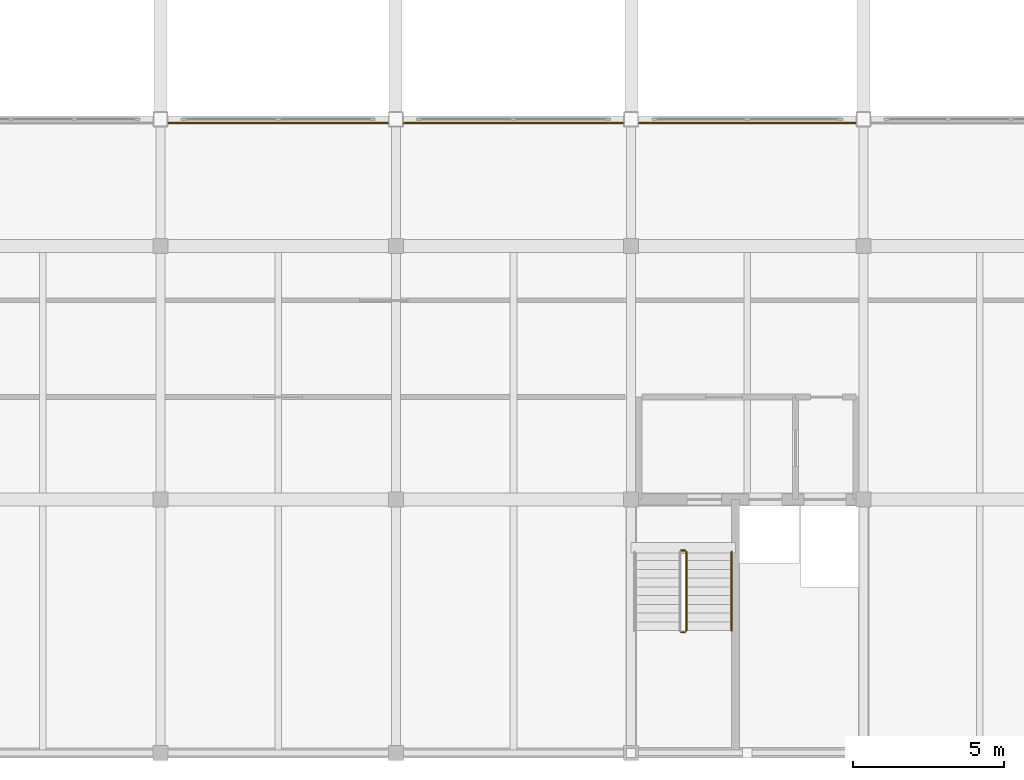
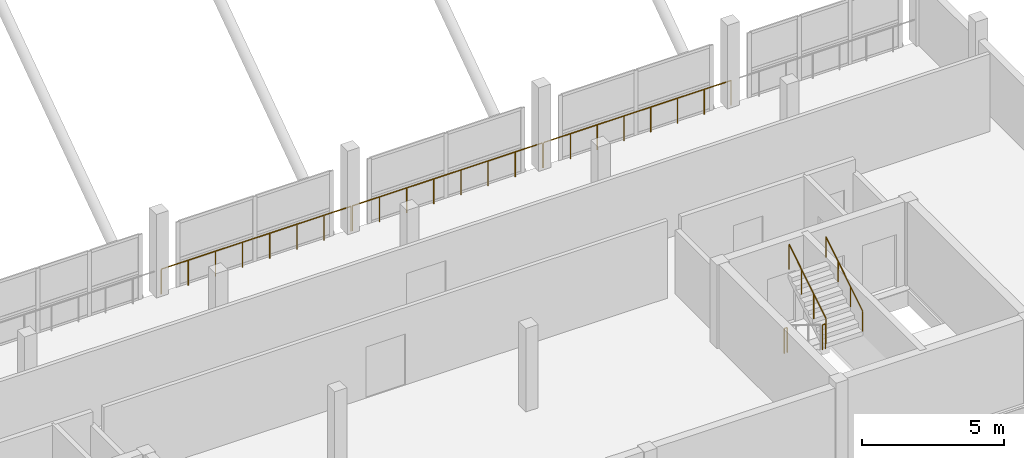
# One storey, part 50 of 51: 7 railings.
"""IFC4 building model written with IfcOpenShell, lengths in metres."""

from ifc_helpers import new_model, si_unit, direction, frame, origin, origin_2d, place, context, subcontext, project, spatial, circle, extrude, material, type_object, element, save


model = new_model("IFC4")

# Units and contexts
model_context = context("Model", 3, precision=1e-05, world=origin(), true_north=direction((0.0, 1.0)))
body_context = subcontext(model_context, "Body", "Model", "MODEL_VIEW")
ifc_project = project(units=[si_unit("LENGTHUNIT", "METRE"), si_unit("AREAUNIT", "SQUARE_METRE"), si_unit("VOLUMEUNIT", "CUBIC_METRE"), si_unit("PLANEANGLEUNIT", "RADIAN"), si_unit("MASSUNIT", "GRAM", prefix="KILO")], contexts=[model_context])

# Site, building, storey
site_placement = place(None, origin())
site = spatial("IfcSite", under=ifc_project, at=site_placement, CompositionType="ELEMENT")
building_placement = place(site_placement, origin())
building = spatial("IfcBuilding", under=site, at=building_placement, Name="Vharandega Faculty of Natural Sciences", CompositionType="ELEMENT")
storey_placement = place(building_placement, frame((0.0, 0.0, 14.39990234375)))
storey = spatial("IfcBuildingStorey", under=building, at=storey_placement, Name="L03", CompositionType="ELEMENT", Elevation=14.39990234375)

# Railings
ifc_material_1 = material(Name="Timber-capped steel and glass balustrade", Category="steel")
railing_type_1 = type_object("IfcRailingType", Name="Atrium Void Balustrade 1100", PredefinedType="BALUSTRADE", material=ifc_material_1)
for number, where, name in (
    (1, (130.425048828125, 84.8798828125, 0.0), "Laboratory Glazing Sill Balustrade L03 #3"),
    (2, (138.22509765625, 84.8798828125, 0.0), "Laboratory Glazing Sill Balustrade L03 #4"),
):
    element("IfcRailing", number, at=place(storey_placement, frame(where)), inside=storey, type_object=railing_type_1, Name=name, PredefinedType="BALUSTRADE", context=body_context, shape_type="SweptSolid", body=[
        extrude(circle(Radius=0.02392578125, at=origin_2d()), frame((0.0, 0.0, 1.076171875), z_axis=(1.0, 0.0, 0.0), x_axis=(0.0, 1.0, 0.0)), (0.0, 0.0, 1.0), 7.75),
        extrude(circle(Radius=0.02099609375, at=origin_2d()), origin(), (0.0, 0.0, 1.0), 1.052001953125),
        extrude(circle(Radius=0.02099609375, at=origin_2d()), frame((1.107177734375, 0.0, 0.0)), (0.0, 0.0, 1.0), 1.052001953125),
        extrude(circle(Radius=0.02099609375, at=origin_2d()), frame((2.21435546875, 0.0, 0.0)), (0.0, 0.0, 1.0), 1.052001953125),
        extrude(circle(Radius=0.02099609375, at=origin_2d()), frame((3.321533203125, 0.0, 0.0)), (0.0, 0.0, 1.0), 1.052001953125),
        extrude(circle(Radius=0.02099609375, at=origin_2d()), frame((4.428466796875, 0.0, 0.0)), (0.0, 0.0, 1.0), 1.052001953125),
        extrude(circle(Radius=0.02099609375, at=origin_2d()), frame((5.53564453125, 0.0, 0.0)), (0.0, 0.0, 1.0), 1.052001953125),
        extrude(circle(Radius=0.02099609375, at=origin_2d()), frame((6.642822265625, 0.0, 0.0)), (0.0, 0.0, 1.0), 1.052001953125),
        extrude(circle(Radius=0.02099609375, at=origin_2d()), frame((7.75, 0.0, 0.0)), (0.0, 0.0, 1.0), 1.052001953125),
    ])
railing_1_placement = place(storey_placement, frame((146.02490234375, 84.8798828125, 0.0)))
element("IfcRailing", 3, at=railing_1_placement, inside=storey, type_object=railing_type_1, Name="Laboratory Glazing Sill Balustrade L03 #5", PredefinedType="BALUSTRADE", context=body_context, shape_type="SweptSolid", body=[
    extrude(circle(Radius=0.02392578125, at=origin_2d()), frame((0.0, 0.0, 1.076171875), z_axis=(1.0, 0.0, 0.0), x_axis=(0.0, 1.0, 0.0)), (0.0, 0.0, 1.0), 7.650146484375),
    extrude(circle(Radius=0.02099609375, at=origin_2d()), origin(), (0.0, 0.0, 1.0), 1.052001953125),
    extrude(circle(Radius=0.02099609375, at=origin_2d()), frame((1.0927734375, 0.0, 0.0)), (0.0, 0.0, 1.0), 1.052001953125),
    extrude(circle(Radius=0.02099609375, at=origin_2d()), frame((2.185791015625, 0.0, 0.0)), (0.0, 0.0, 1.0), 1.052001953125),
    extrude(circle(Radius=0.02099609375, at=origin_2d()), frame((3.278564453125, 0.0, 0.0)), (0.0, 0.0, 1.0), 1.052001953125),
    extrude(circle(Radius=0.02099609375, at=origin_2d()), frame((4.37158203125, 0.0, 0.0)), (0.0, 0.0, 1.0), 1.052001953125),
    extrude(circle(Radius=0.02099609375, at=origin_2d()), frame((5.46435546875, 0.0, 0.0)), (0.0, 0.0, 1.0), 1.052001953125),
    extrude(circle(Radius=0.02099609375, at=origin_2d()), frame((6.557373046875, 0.0, 0.0)), (0.0, 0.0, 1.0), 1.052001953125),
    extrude(circle(Radius=0.02099609375, at=origin_2d()), frame((7.650146484375, 0.0, 0.0)), (0.0, 0.0, 1.0), 1.052001953125),
])
ifc_material_2 = material(Name="Brushed stainless steel handrail", Category="steel")
railing_type_2 = type_object("IfcRailingType", Name="Stair Tubular Handrail 900", PredefinedType="HANDRAIL", material=ifc_material_2)
railing_2_placement = place(storey_placement, frame((149.330078125, 68.050048828125, 1.97998046875)))
element("IfcRailing", 4, at=railing_2_placement, inside=storey, type_object=railing_type_2, Name="L03 ST2 stair handrail 2", PredefinedType="HANDRAIL", context=body_context, shape_type="SweptSolid", body=[
    extrude(circle(Radius=0.02392578125, at=origin_2d()), frame((0.0, 0.0, 0.8759765625), z_axis=(0.0, 0.849610693518, 0.52741034258), x_axis=(-1.0, 0.0, 0.0)), (0.0, 0.0, 1.0), 3.07177734375),
    extrude(circle(Radius=0.02099609375, at=origin_2d()), origin(), (0.0, 0.0, 1.0), 0.851806640625),
    extrude(circle(Radius=0.02099609375, at=origin_2d()), frame((0.0, 0.869873046875, 0.5400390625)), (0.0, 0.0, 1.0), 0.851806640625),
    extrude(circle(Radius=0.02099609375, at=origin_2d()), frame((0.0, 1.739990234375, 1.080078125)), (0.0, 0.0, 1.0), 0.851806640625),
    extrude(circle(Radius=0.02099609375, at=origin_2d()), frame((0.0, 2.60986328125, 1.6201171875)), (0.0, 0.0, 1.0), 0.851806640625),
])
ifc_material_3 = material(Name="Painted steel stair guardrail", Category="steel")
railing_type_3 = type_object("IfcRailingType", Name="Stairwell Steel Guardrail 1100", PredefinedType="GUARDRAIL", material=ifc_material_3)
railing_3_placement = place(storey_placement, frame((147.659912109375, 68.0, 1.800048828125)))
element("IfcRailing", 5, at=railing_3_placement, inside=storey, type_object=railing_type_3, Name="L03 ST2 stair guard 2", PredefinedType="GUARDRAIL", context=body_context, shape_type="SweptSolid", body=[
    extrude(circle(Radius=0.02392578125, at=origin_2d()), frame((0.0, 0.0, 1.076171875), z_axis=(1.0, 0.0, 0.0), x_axis=(0.0, 1.0, 0.0)), (0.0, 0.0, 1.0), 0.1201171875),
    extrude(circle(Radius=0.02099609375, at=origin_2d()), origin(), (0.0, 0.0, 1.0), 1.052001953125),
    extrude(circle(Radius=0.02099609375, at=origin_2d()), frame((0.1201171875, 0.0, 0.0)), (0.0, 0.0, 1.0), 1.052001953125),
])
railing_4_placement = place(storey_placement, frame((147.830078125, 68.050048828125, 1.97998046875)))
element("IfcRailing", 6, at=railing_4_placement, inside=storey, type_object=railing_type_3, Name="L03 ST2 stair guard 3", PredefinedType="GUARDRAIL", context=body_context, shape_type="SweptSolid", body=[
    extrude(circle(Radius=0.02392578125, at=origin_2d()), frame((0.0, 0.0, 1.076171875), z_axis=(0.0, 0.849610693518, 0.52741034258), x_axis=(-1.0, 0.0, 0.0)), (0.0, 0.0, 1.0), 3.07177734375),
    extrude(circle(Radius=0.02099609375, at=origin_2d()), origin(), (0.0, 0.0, 1.0), 1.052001953125),
    extrude(circle(Radius=0.02099609375, at=origin_2d()), frame((0.0, 0.869873046875, 0.5400390625)), (0.0, 0.0, 1.0), 1.052001953125),
    extrude(circle(Radius=0.02099609375, at=origin_2d()), frame((0.0, 1.739990234375, 1.080078125)), (0.0, 0.0, 1.0), 1.052001953125),
    extrude(circle(Radius=0.02099609375, at=origin_2d()), frame((0.0, 2.60986328125, 1.6201171875)), (0.0, 0.0, 1.0), 1.052001953125),
])
railing_5_placement = place(storey_placement, frame((147.659912109375, 70.7099609375, 0.0)))
element("IfcRailing", 7, at=railing_5_placement, inside=storey, type_object=railing_type_3, Name="L03 ST2 stair guard 4", PredefinedType="GUARDRAIL", context=body_context, shape_type="SweptSolid", body=[
    extrude(circle(Radius=0.02392578125, at=origin_2d()), frame((0.0, 0.0, 1.076171875), z_axis=(1.0, 0.0, 0.0), x_axis=(0.0, 1.0, 0.0)), (0.0, 0.0, 1.0), 0.1201171875),
    extrude(circle(Radius=0.02099609375, at=origin_2d()), origin(), (0.0, 0.0, 1.0), 1.052001953125),
    extrude(circle(Radius=0.02099609375, at=origin_2d()), frame((0.1201171875, 0.0, 0.0)), (0.0, 0.0, 1.0), 1.052001953125),
])

save(model, "model.ifc")
